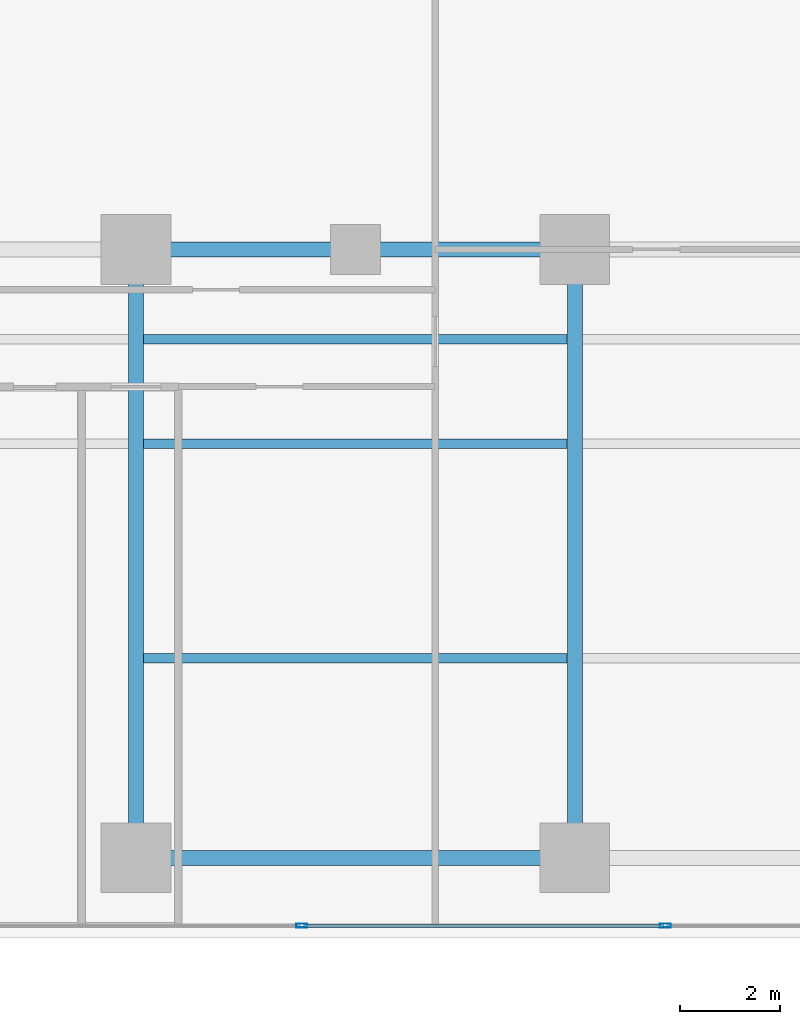
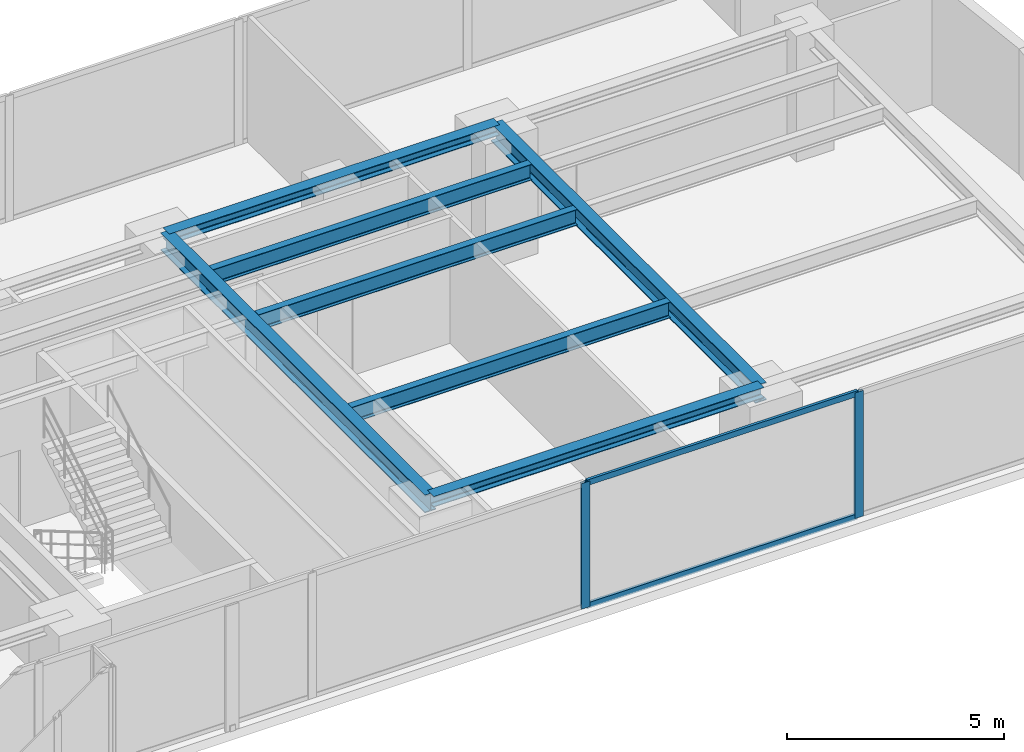
# One storey, part 11 of 24: 7 beams, 4 members, 1 element without a shape of its own.
"""IFC4 building model written with IfcOpenShell, lengths in metres."""

from ifc_helpers import new_model, si_unit, direction, frame, origin, origin_with_axes, origin_2d, place, context, subcontext, project, spatial, hollow_rectangle, i_section, extrude, source, transform, mapped, material, layer, layer_set, material_profile, profile_set, type_object, element, aggregate, save


model = new_model("IFC4")

# Units and contexts
model_context = context("Model", 3, precision=1e-05, world=origin(), true_north=direction((0.0, 1.0)))
body_context = subcontext(model_context, "Body", "Model", "MODEL_VIEW")
ifc_project = project(units=[si_unit("LENGTHUNIT", "METRE"), si_unit("AREAUNIT", "SQUARE_METRE"), si_unit("VOLUMEUNIT", "CUBIC_METRE"), si_unit("PLANEANGLEUNIT", "RADIAN"), si_unit("MASSUNIT", "GRAM", prefix="KILO")], contexts=[model_context])

# Site, building, storey
site_placement = place(None, origin())
site = spatial("IfcSite", under=ifc_project, at=site_placement, CompositionType="ELEMENT")
building_placement = place(site_placement, origin())
building = spatial("IfcBuilding", under=site, at=building_placement, Name="Kolvaren Waterfront Exchange", CompositionType="ELEMENT")
storey_placement = place(building_placement, frame((0.0, 0.0, 91.699951171875)))
storey = spatial("IfcBuildingStorey", under=building, at=storey_placement, Name="L23", CompositionType="ELEMENT", Elevation=91.699951171875)

# Beams
ifc_material_1 = material(Name="Steel S355", Category="steel")
ifc_material_profile_1 = material_profile(ifc_material_1, i_section(OverallWidth=0.300048828125, OverallDepth=0.300048828125, WebThickness=0.010986328125, FlangeThickness=0.01904296875, FilletRadius=0.027099609375, at=origin_2d()), Name="HEB300")
ifc_profile_set_1 = profile_set([ifc_material_profile_1], Name="Steel S355")
beam_type_1 = type_object("IfcBeamType", Name="STR-BM-HEB300", PredefinedType="SPANDREL", material=ifc_profile_set_1)
for number, where, z_axis, x_axis, name in (
    (1, (36.800048828125, 5.199951171875, 3.39013671875), (1.0, 0.0, 0.0), (0.0, 1.0, 0.0), "L23 east-arm spandrel S3"),
    (2, (36.800048828125, 17.39990234375, 3.39013671875), (1.0, 0.0, 0.0), (0.0, 1.0, 0.0), "L23 east-arm spandrel N3"),
):
    element("IfcBeam", number, at=place(storey_placement, frame(where, z_axis=z_axis, x_axis=x_axis)), inside=storey, type_object=beam_type_1, Name=name, PredefinedType="SPANDREL", context=body_context, shape_type="SweptSolid", body=[
        extrude(i_section(OverallWidth=0.300048828125, OverallDepth=0.300048828125, WebThickness=0.010986328125, FlangeThickness=0.01904296875, FilletRadius=0.027099609375, at=origin_2d()), origin(), (0.0, 0.0, 1.0), 8.800048828125),
    ])
ifc_material_profile_2 = material_profile(ifc_material_1, i_section(OverallWidth=0.300048828125, OverallDepth=0.5, WebThickness=0.014404296875, FlangeThickness=0.028076171875, FilletRadius=0.027099609375, at=origin_2d()), Name="HEB500")
ifc_profile_set_2 = profile_set([ifc_material_profile_2], Name="Steel S355")
beam_type_2 = type_object("IfcBeamType", Name="STR-BM-HEB500", PredefinedType="BEAM", material=ifc_profile_set_2)
for number, where, z_axis, x_axis, name in (
    (3, (36.800048828125, 5.199951171875, 3.2900390625), (0.0, 1.0, 0.0), (-1.0, 0.0, 0.0), "L23 east-arm transverse girder X36"),
    (4, (45.60009765625, 5.199951171875, 3.2900390625), (0.0, 1.0, 0.0), (-1.0, 0.0, 0.0), "L23 east-arm transverse girder X45"),
):
    element("IfcBeam", number, at=place(storey_placement, frame(where, z_axis=z_axis, x_axis=x_axis)), inside=storey, type_object=beam_type_2, Name=name, PredefinedType="BEAM", context=body_context, shape_type="SweptSolid", body=[
        extrude(i_section(OverallWidth=0.300048828125, OverallDepth=0.5, WebThickness=0.014404296875, FlangeThickness=0.028076171875, FilletRadius=0.027099609375, at=origin_2d()), origin(), (0.0, 0.0, 1.0), 12.199951171875),
    ])
ifc_material_profile_3 = material_profile(ifc_material_1, i_section(OverallWidth=0.18994140625, OverallDepth=0.449951171875, WebThickness=0.009521484375, FlangeThickness=0.0146484375, FilletRadius=0.02099609375, at=origin_2d()), Name="IPE450")
ifc_profile_set_3 = profile_set([ifc_material_profile_3], Name="Steel S355")
beam_type_3 = type_object("IfcBeamType", Name="STR-BM-IPE450", PredefinedType="JOIST", material=ifc_profile_set_3)
for number, where, z_axis, x_axis, name in (
    (5, (36.951904296875, 13.5, 3.31494140625), (1.0, 0.0, 0.0), (0.0, 1.0, 0.0), "L23 east-arm composite joist 3A"),
    (6, (36.951904296875, 15.60009765625, 3.31494140625), (1.0, 0.0, 0.0), (0.0, 1.0, 0.0), "L23 east-arm composite joist 3C"),
    (7, (36.951904296875, 9.199951171875, 3.31494140625), (1.0, 0.0, 0.0), (0.0, 1.0, 0.0), "L23 east-arm composite joist 3B"),
):
    element("IfcBeam", number, at=place(storey_placement, frame(where, z_axis=z_axis, x_axis=x_axis)), inside=storey, type_object=beam_type_3, Name=name, PredefinedType="JOIST", context=body_context, shape_type="SweptSolid", body=[
        extrude(i_section(OverallWidth=0.18994140625, OverallDepth=0.449951171875, WebThickness=0.009521484375, FlangeThickness=0.0146484375, FilletRadius=0.02099609375, at=origin_2d()), origin(), (0.0, 0.0, 1.0), 8.49609375),
    ])

# Curtain wall, members
ifc_material_2 = material(Name="Anodised bronze aluminium 6063-T6", Category="aluminium")
ifc_layer = layer(ifc_material_2, 0.219970703125, Name="Anodised bronze aluminium 6063-T6")
ifc_layer_set = layer_set([ifc_layer], Name="Anodised bronze aluminium 6063-T6")
curtain_wall_type = type_object("IfcCurtainWallType", Name="ARC-CW-SYS1", PredefinedType="USERDEFINED", material=ifc_layer_set)
curtain_wall_placement = place(storey_placement, origin())
curtain_wall = element("IfcCurtainWall", 8, at=curtain_wall_placement, inside=storey, type_object=curtain_wall_type, Name="L23 stick curtain wall CW1 (CW-L23-S)", ObjectType="STICK CURTAIN WALL", PredefinedType="USERDEFINED")
ifc_material_3 = material(Name="Anodised aluminium 6063-T6", Category="aluminium")
ifc_material_profile_4 = material_profile(ifc_material_3, hollow_rectangle(XDim=0.080078125, YDim=0.219970703125, WallThickness=0.0048828125, at=origin_2d()), Name="ALU-MUL-220x80x5")
ifc_profile_set_4 = profile_set([ifc_material_profile_4], Name="Anodised aluminium 6063-T6")
member_type_1 = type_object("IfcMemberType", Name="ARC-CWM-220", PredefinedType="MULLION", material=ifc_profile_set_4)
shared_shape_1 = source(origin_with_axes(), body_context, "Body", "SweptSolid", [
    extrude(hollow_rectangle(XDim=0.080078125, YDim=0.219970703125, WallThickness=0.0048828125, at=origin_2d()), origin(), (0.0, 0.0, 1.0), 3.5400390625),
])
member_1_placement = place(storey_placement, frame((40.128662109375, 3.840087890625, 0.0), z_axis=(0.0, 0.0, 1.0), x_axis=(0.0, 1.0, 0.0)))
member_1 = element("IfcMember", 9, at=member_1_placement, type_object=member_type_1, Name="CW1 mullion 6", PredefinedType="MULLION", context=body_context, shape_type="MappedRepresentation", body=[
    mapped(shared_shape_1, transform((0.0, 0.0, 0.0), x_axis=(1.0, 0.0, 0.0), y_axis=(0.0, 1.0, 0.0), z_axis=(0.0, 0.0, 1.0), scale=1.0)),
])
member_2_placement = place(storey_placement, frame((47.414306640625, 3.840087890625, 0.0), z_axis=(0.0, 0.0, 1.0), x_axis=(0.0, 1.0, 0.0)))
member_2 = element("IfcMember", 10, at=member_2_placement, type_object=member_type_1, Name="CW1 mullion 7", PredefinedType="MULLION", context=body_context, shape_type="MappedRepresentation", body=[
    mapped(shared_shape_1, transform((0.0, 0.0, 0.0), x_axis=(1.0, 0.0, 0.0), y_axis=(0.0, 1.0, 0.0), z_axis=(0.0, 0.0, 1.0), scale=1.0)),
])
ifc_material_profile_5 = material_profile(ifc_material_3, hollow_rectangle(XDim=0.074951171875, YDim=0.159912109375, WallThickness=0.00439453125, at=origin_2d()), Name="ALU-TRN-160x75x4.5")
ifc_profile_set_5 = profile_set([ifc_material_profile_5], Name="Anodised aluminium 6063-T6")
member_type_2 = type_object("IfcMemberType", Name="ARC-CWT-160", PredefinedType="USERDEFINED", material=ifc_profile_set_5)
shared_shape_2 = source(origin_with_axes(), body_context, "Body", "SweptSolid", [
    extrude(hollow_rectangle(XDim=0.074951171875, YDim=0.159912109375, WallThickness=0.00439453125, at=origin_2d()), origin(), (0.0, 0.0, 1.0), 7.205810546875),
])
member_3_placement = place(storey_placement, frame((40.16845703125, 3.840087890625, 0.03759765625), z_axis=(1.0, 0.0, 0.0), x_axis=(0.0, 1.0, 0.0)))
member_3 = element("IfcMember", 11, at=member_3_placement, type_object=member_type_2, Name="CW1 transom 6.1", ObjectType="TRANSOM", PredefinedType="USERDEFINED", context=body_context, shape_type="MappedRepresentation", body=[
    mapped(shared_shape_2, transform((0.0, 0.0, 0.0), x_axis=(1.0, 0.0, 0.0), y_axis=(0.0, 1.0, 0.0), z_axis=(0.0, 0.0, 1.0), scale=1.0)),
])
member_4_placement = place(storey_placement, frame((40.16845703125, 3.840087890625, 3.50244140625), z_axis=(1.0, 0.0, 0.0), x_axis=(0.0, 1.0, 0.0)))
member_4 = element("IfcMember", 12, at=member_4_placement, type_object=member_type_2, Name="CW1 transom 6.2", ObjectType="TRANSOM", PredefinedType="USERDEFINED", context=body_context, shape_type="MappedRepresentation", body=[
    mapped(shared_shape_2, transform((0.0, 0.0, 0.0), x_axis=(1.0, 0.0, 0.0), y_axis=(0.0, 1.0, 0.0), z_axis=(0.0, 0.0, 1.0), scale=1.0)),
])
aggregate(curtain_wall, [member_1, member_2, member_3, member_4])

save(model, "model.ifc")
